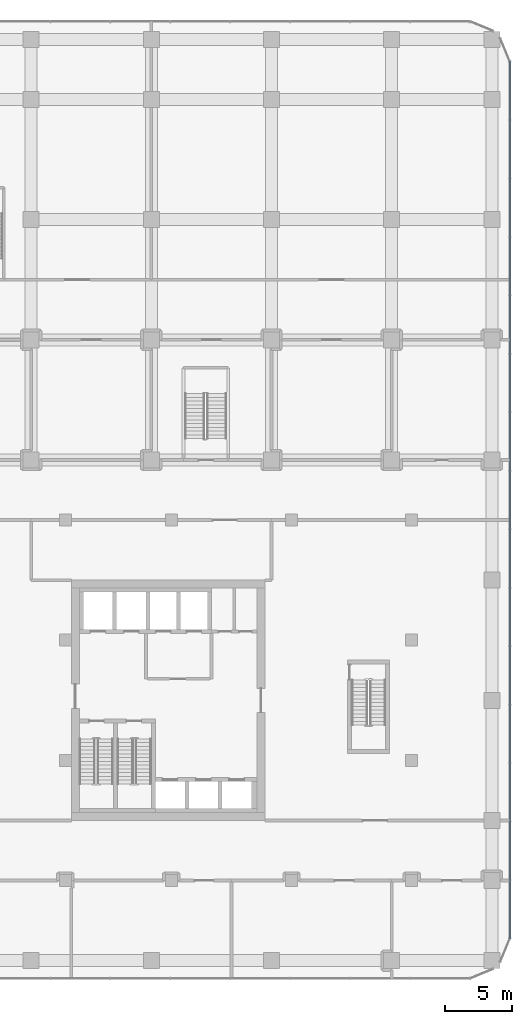
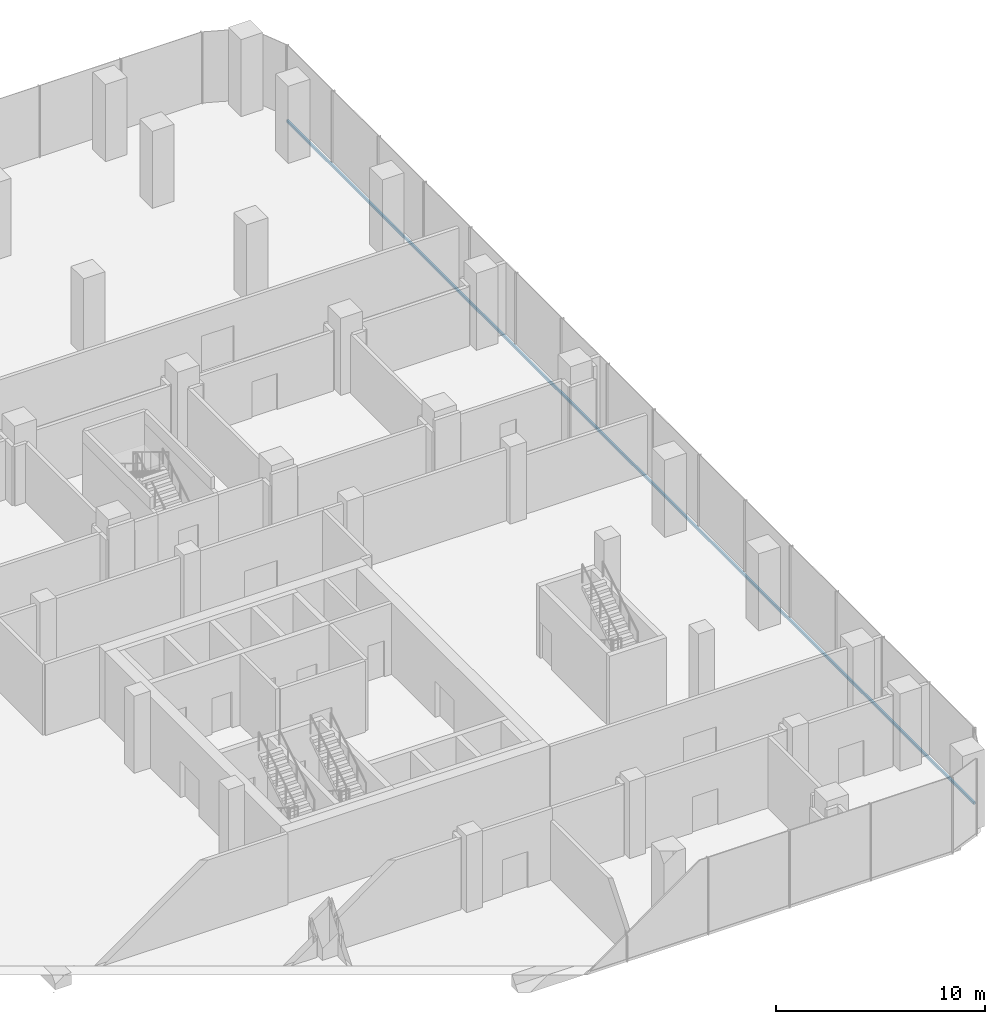
# One storey, part 19 of 43: 1 member, 1 element without a shape of its own.
"""IFC4 building model written with IfcOpenShell, lengths in metres."""

from ifc_helpers import new_model, si_unit, direction, frame, origin, origin_2d, place, context, subcontext, project, spatial, rectangle, extrude, material, layer, layer_set, material_profile, profile_set, type_object, element, aggregate, save


model = new_model("IFC4")

# Units and contexts
model_context = context("Model", 3, precision=1e-05, world=origin(), true_north=direction((0.0, 1.0)))
body_context = subcontext(model_context, "Body", "Model", "MODEL_VIEW")
ifc_project = project(units=[si_unit("LENGTHUNIT", "METRE"), si_unit("AREAUNIT", "SQUARE_METRE"), si_unit("VOLUMEUNIT", "CUBIC_METRE"), si_unit("PLANEANGLEUNIT", "RADIAN"), si_unit("MASSUNIT", "GRAM", prefix="KILO")], contexts=[model_context])

# Site, building, storey
site_placement = place(None, origin())
site = spatial("IfcSite", under=ifc_project, at=site_placement, CompositionType="ELEMENT")
building_placement = place(site_placement, origin())
building = spatial("IfcBuilding", under=site, at=building_placement, Name="Plateau Cross Towers", CompositionType="ELEMENT")
storey_placement = place(building_placement, frame((0.0, 0.0, 12.800048828125)))
storey = spatial("IfcBuildingStorey", under=building, at=storey_placement, Name="L02", CompositionType="ELEMENT", Elevation=12.800048828125)

# Curtain wall, member
ifc_material_1 = material(Name="Dark low-iron laminated glass", Category="glass")
ifc_layer = layer(ifc_material_1, 0.300048828125)
ifc_layer_set = layer_set([ifc_layer], Name="Dark low-iron laminated glass")
curtain_wall_type = type_object("IfcCurtainWallType", Name="Curtain wall structural silicone CW-C", PredefinedType="NOTDEFINED", material=ifc_layer_set)
curtain_wall_placement = place(storey_placement, origin())
curtain_wall = element("IfcCurtainWall", 1, at=curtain_wall_placement, inside=storey, type_object=curtain_wall_type, Name="ENV/P/L02/P1078_-88", PredefinedType="NOTDEFINED")
ifc_material_2 = material(Name="Black anodised aluminium", Category="aluminium")
ifc_material_profile = material_profile(ifc_material_2, rectangle(XDim=0.10009765625, YDim=0.14990234375, at=origin_2d()), Name="TRANSOM 100x150")
ifc_profile_set = profile_set([ifc_material_profile], Name="Black anodised aluminium")
member_type = type_object("IfcMemberType", Name="Transom 100x150 structural silicone", PredefinedType="USERDEFINED", material=ifc_profile_set)
member_placement = place(storey_placement, frame((107.85009765625, -8.85009765625, -0.275146484375), z_axis=(0.0, 1.0, 0.0), x_axis=(-1.0, 0.0, 0.0)))
member = element("IfcMember", 2, at=member_placement, type_object=member_type, Name="CW-C transom", ObjectType="TRANSOM", PredefinedType="USERDEFINED", context=body_context, shape_type="SweptSolid", body=[
    extrude(rectangle(XDim=0.10009765625, YDim=0.14990234375, at=origin_2d()), origin(), (0.0, 0.0, 1.0), 65.7001953125),
])
aggregate(curtain_wall, [member])

save(model, "model.ifc")
